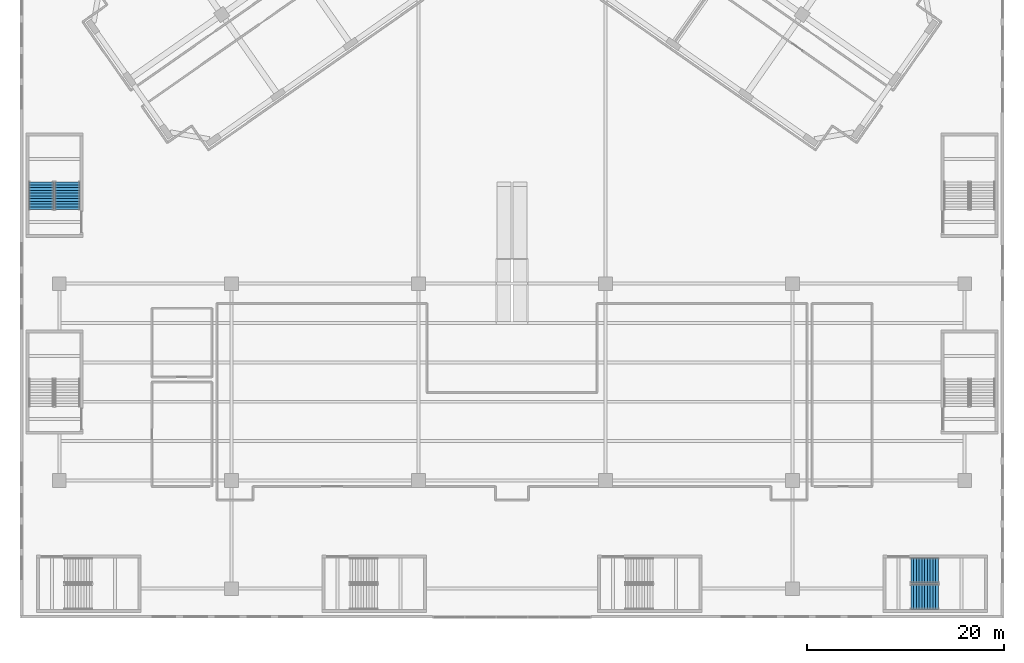
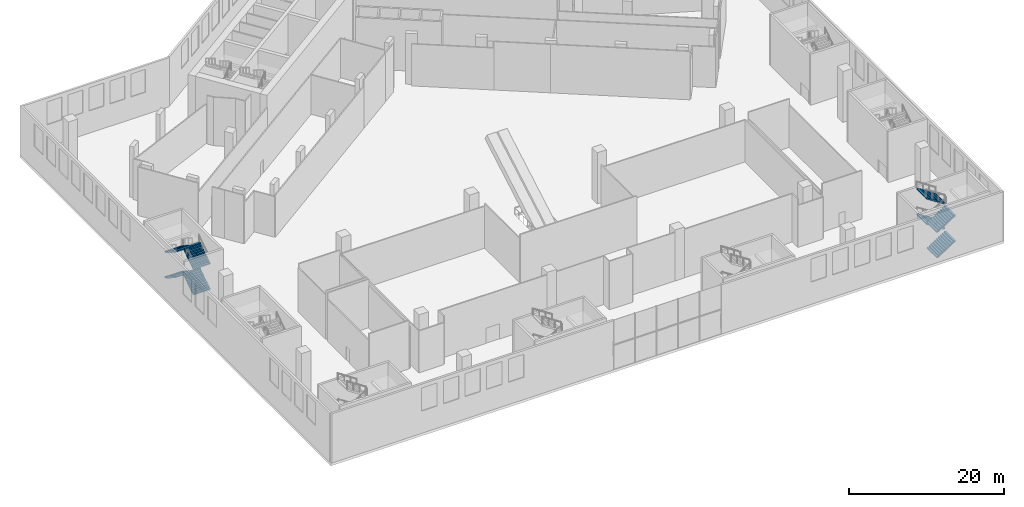
# One storey, part 15 of 27: 8 stair flights, 2 elements without a shape of their own.
"""IFC4 building model written with IfcOpenShell, lengths in metres."""

from ifc_helpers import new_model, si_unit, direction, frame, origin, place, context, subcontext, project, spatial, polyline, outline, extrude, material, type_object, element, aggregate, save


model = new_model("IFC4")

# Units and contexts
model_context = context("Model", 3, precision=1e-05, world=origin(), true_north=direction((0.0, 1.0)))
body_context = subcontext(model_context, "Body", "Model", "MODEL_VIEW")
ifc_project = project(units=[si_unit("LENGTHUNIT", "METRE"), si_unit("AREAUNIT", "SQUARE_METRE"), si_unit("VOLUMEUNIT", "CUBIC_METRE"), si_unit("PLANEANGLEUNIT", "RADIAN"), si_unit("MASSUNIT", "GRAM", prefix="KILO")], contexts=[model_context])

# Site, building, storey
site_placement = place(None, origin())
site = spatial("IfcSite", under=ifc_project, at=site_placement, CompositionType="ELEMENT")
building_placement = place(site_placement, origin())
building = spatial("IfcBuilding", under=site, at=building_placement, Name="Tel Ilan Convention Tower", CompositionType="ELEMENT")
storey_placement = place(building_placement, frame((0.0, 0.0, 18.0)))
storey = spatial("IfcBuildingStorey", under=building, at=storey_placement, Name="L02", CompositionType="ELEMENT", Elevation=18.0)

# Stair, stair flights
ifc_material_1 = material(Name="Concrete C40/50", Category="concrete")
stair_type = type_object("IfcStairType", Name="Pressurised Exit Stair 44 risers 182 mm", PredefinedType="HALF_TURN_STAIR", material=ifc_material_1)
stair_1_placement = place(storey_placement, origin())
stair_1 = element("IfcStair", 1, at=stair_1_placement, inside=storey, type_object=stair_type, Name="L02 Podium Exit Stair P4", PredefinedType="HALF_TURN_STAIR")
ifc_material_2 = material(Name="Precast Concrete C40/50", Category="concrete")
stair_flight_type = type_object("IfcStairFlightType", Name="Concrete Stair Flight 2525 mm 44 risers 182 mm", PredefinedType="STRAIGHT", material=ifc_material_2)
stair_flight_1_placement = place(storey_placement, frame((40.52490234375, -79.83740234375, 0.0), z_axis=(0.0, 0.0, 1.0), x_axis=(1.0, 0.0, 0.0)))
stair_flight_1 = element("IfcStairFlight", 2, at=stair_flight_1_placement, type_object=stair_flight_type, Name="P4 flight 1", NumberOfRisers=11, NumberOfTreads=10, PredefinedType="STRAIGHT", RiserHeight=0.181818182, TreadLength=0.28, context=body_context, shape_type="SweptSolid", body=[
    extrude(outline(polyline([(0.0, 0.0), (0.0, 0.181884765625), (0.280029296875, 0.181884765625), (0.280029296875, 0.363525390625), (0.56005859375, 0.363525390625), (0.56005859375, 0.54541015625), (0.840087890625, 0.54541015625), (0.840087890625, 0.727294921875), (1.1201171875, 0.727294921875), (1.1201171875, 0.9091796875), (1.39990234375, 0.9091796875), (1.39990234375, 1.0908203125), (1.679931640625, 1.0908203125), (1.679931640625, 1.272705078125), (1.9599609375, 1.272705078125), (1.9599609375, 1.45458984375), (2.239990234375, 1.45458984375), (2.239990234375, 1.636474609375), (2.52001953125, 1.636474609375), (2.52001953125, 1.818115234375), (2.800048828125, 1.818115234375), (2.800048828125, 2.0), (2.800048828125, 1.639404296875), (0.275146484375, 0.0), (0.0, 0.0)])), frame((0.0, -0.100341796875, 0.0), z_axis=(0.0, -1.0, 0.0), x_axis=(1.0, 0.0, 0.0)), (0.0, 0.0, 1.0), 1.162109375),
    extrude(outline(polyline([(0.0, 0.0), (0.0, 0.181884765625), (0.280029296875, 0.181884765625), (0.280029296875, 0.363525390625), (0.56005859375, 0.363525390625), (0.56005859375, 0.54541015625), (0.840087890625, 0.54541015625), (0.840087890625, 0.727294921875), (1.1201171875, 0.727294921875), (1.1201171875, 0.9091796875), (1.39990234375, 0.9091796875), (1.39990234375, 1.0908203125), (1.679931640625, 1.0908203125), (1.679931640625, 1.272705078125), (1.9599609375, 1.272705078125), (1.9599609375, 1.45458984375), (2.239990234375, 1.45458984375), (2.239990234375, 1.636474609375), (2.52001953125, 1.636474609375), (2.52001953125, 1.818115234375), (2.800048828125, 1.818115234375), (2.800048828125, 2.0), (2.800048828125, 1.639404296875), (0.275146484375, 0.0), (0.0, 0.0)])), frame((0.0, -0.000244140625, 0.0), z_axis=(0.0, -1.0, 0.0), x_axis=(1.0, 0.0, 0.0)), (0.0, 0.0, 1.0), 0.099609375),
    extrude(outline(polyline([(0.0, 0.0), (0.0, 0.181884765625), (0.280029296875, 0.181884765625), (0.280029296875, 0.363525390625), (0.56005859375, 0.363525390625), (0.56005859375, 0.54541015625), (0.840087890625, 0.54541015625), (0.840087890625, 0.727294921875), (1.1201171875, 0.727294921875), (1.1201171875, 0.9091796875), (1.39990234375, 0.9091796875), (1.39990234375, 1.0908203125), (1.679931640625, 1.0908203125), (1.679931640625, 1.272705078125), (1.9599609375, 1.272705078125), (1.9599609375, 1.45458984375), (2.239990234375, 1.45458984375), (2.239990234375, 1.636474609375), (2.52001953125, 1.636474609375), (2.52001953125, 1.818115234375), (2.800048828125, 1.818115234375), (2.800048828125, 2.0), (2.800048828125, 1.639404296875), (0.275146484375, 0.0), (0.0, 0.0)])), frame((0.0, 0.099853515625, 0.0), z_axis=(0.0, -1.0, 0.0), x_axis=(1.0, 0.0, 0.0)), (0.0, 0.0, 1.0), 0.099609375),
    extrude(outline(polyline([(0.0, 0.0), (0.0, 0.181884765625), (0.280029296875, 0.181884765625), (0.280029296875, 0.363525390625), (0.56005859375, 0.363525390625), (0.56005859375, 0.54541015625), (0.840087890625, 0.54541015625), (0.840087890625, 0.727294921875), (1.1201171875, 0.727294921875), (1.1201171875, 0.9091796875), (1.39990234375, 0.9091796875), (1.39990234375, 1.0908203125), (1.679931640625, 1.0908203125), (1.679931640625, 1.272705078125), (1.9599609375, 1.272705078125), (1.9599609375, 1.45458984375), (2.239990234375, 1.45458984375), (2.239990234375, 1.636474609375), (2.52001953125, 1.636474609375), (2.52001953125, 1.818115234375), (2.800048828125, 1.818115234375), (2.800048828125, 2.0), (2.800048828125, 1.639404296875), (0.275146484375, 0.0), (0.0, 0.0)])), frame((0.0, 1.262451171875, 0.0), z_axis=(0.0, -1.0, 0.0), x_axis=(1.0, 0.0, 0.0)), (0.0, 0.0, 1.0), 1.162109375),
])
stair_flight_2_placement = place(storey_placement, frame((43.324951171875, -77.16259765625, 2.0), z_axis=(0.0, 0.0, 1.0), x_axis=(-1.0, 0.0, 0.0)))
stair_flight_2 = element("IfcStairFlight", 3, at=stair_flight_2_placement, type_object=stair_flight_type, Name="P4 flight 2", NumberOfRisers=11, NumberOfTreads=10, PredefinedType="STRAIGHT", RiserHeight=0.181818182, TreadLength=0.28, context=body_context, shape_type="SweptSolid", body=[
    extrude(outline(polyline([(0.0, 0.0), (0.0, 0.181884765625), (0.280029296875, 0.181884765625), (0.280029296875, 0.363525390625), (0.56005859375, 0.363525390625), (0.56005859375, 0.54541015625), (0.840087890625, 0.54541015625), (0.840087890625, 0.727294921875), (1.1201171875, 0.727294921875), (1.1201171875, 0.9091796875), (1.39990234375, 0.9091796875), (1.39990234375, 1.0908203125), (1.679931640625, 1.0908203125), (1.679931640625, 1.272705078125), (1.9599609375, 1.272705078125), (1.9599609375, 1.45458984375), (2.239990234375, 1.45458984375), (2.239990234375, 1.636474609375), (2.52001953125, 1.636474609375), (2.52001953125, 1.818115234375), (2.800048828125, 1.818115234375), (2.800048828125, 2.0), (2.800048828125, 1.639404296875), (0.275146484375, 0.0), (0.0, 0.0)])), frame((0.0, -0.100341796875, 0.0), z_axis=(0.0, -1.0, 0.0), x_axis=(1.0, 0.0, 0.0)), (0.0, 0.0, 1.0), 1.162109375),
    extrude(outline(polyline([(0.0, 0.0), (0.0, 0.181884765625), (0.280029296875, 0.181884765625), (0.280029296875, 0.363525390625), (0.56005859375, 0.363525390625), (0.56005859375, 0.54541015625), (0.840087890625, 0.54541015625), (0.840087890625, 0.727294921875), (1.1201171875, 0.727294921875), (1.1201171875, 0.9091796875), (1.39990234375, 0.9091796875), (1.39990234375, 1.0908203125), (1.679931640625, 1.0908203125), (1.679931640625, 1.272705078125), (1.9599609375, 1.272705078125), (1.9599609375, 1.45458984375), (2.239990234375, 1.45458984375), (2.239990234375, 1.636474609375), (2.52001953125, 1.636474609375), (2.52001953125, 1.818115234375), (2.800048828125, 1.818115234375), (2.800048828125, 2.0), (2.800048828125, 1.639404296875), (0.275146484375, 0.0), (0.0, 0.0)])), frame((0.0, -0.000244140625, 0.0), z_axis=(0.0, -1.0, 0.0), x_axis=(1.0, 0.0, 0.0)), (0.0, 0.0, 1.0), 0.099609375),
    extrude(outline(polyline([(0.0, 0.0), (0.0, 0.181884765625), (0.280029296875, 0.181884765625), (0.280029296875, 0.363525390625), (0.56005859375, 0.363525390625), (0.56005859375, 0.54541015625), (0.840087890625, 0.54541015625), (0.840087890625, 0.727294921875), (1.1201171875, 0.727294921875), (1.1201171875, 0.9091796875), (1.39990234375, 0.9091796875), (1.39990234375, 1.0908203125), (1.679931640625, 1.0908203125), (1.679931640625, 1.272705078125), (1.9599609375, 1.272705078125), (1.9599609375, 1.45458984375), (2.239990234375, 1.45458984375), (2.239990234375, 1.636474609375), (2.52001953125, 1.636474609375), (2.52001953125, 1.818115234375), (2.800048828125, 1.818115234375), (2.800048828125, 2.0), (2.800048828125, 1.639404296875), (0.275146484375, 0.0), (0.0, 0.0)])), frame((0.0, 0.099853515625, 0.0), z_axis=(0.0, -1.0, 0.0), x_axis=(1.0, 0.0, 0.0)), (0.0, 0.0, 1.0), 0.099609375),
    extrude(outline(polyline([(0.0, 0.0), (0.0, 0.181884765625), (0.280029296875, 0.181884765625), (0.280029296875, 0.363525390625), (0.56005859375, 0.363525390625), (0.56005859375, 0.54541015625), (0.840087890625, 0.54541015625), (0.840087890625, 0.727294921875), (1.1201171875, 0.727294921875), (1.1201171875, 0.9091796875), (1.39990234375, 0.9091796875), (1.39990234375, 1.0908203125), (1.679931640625, 1.0908203125), (1.679931640625, 1.272705078125), (1.9599609375, 1.272705078125), (1.9599609375, 1.45458984375), (2.239990234375, 1.45458984375), (2.239990234375, 1.636474609375), (2.52001953125, 1.636474609375), (2.52001953125, 1.818115234375), (2.800048828125, 1.818115234375), (2.800048828125, 2.0), (2.800048828125, 1.639404296875), (0.275146484375, 0.0), (0.0, 0.0)])), frame((0.0, 1.262451171875, 0.0), z_axis=(0.0, -1.0, 0.0), x_axis=(1.0, 0.0, 0.0)), (0.0, 0.0, 1.0), 1.162109375),
])
stair_flight_3_placement = place(storey_placement, frame((40.52490234375, -79.83740234375, 4.0), z_axis=(0.0, 0.0, 1.0), x_axis=(1.0, 0.0, 0.0)))
stair_flight_3 = element("IfcStairFlight", 4, at=stair_flight_3_placement, type_object=stair_flight_type, Name="P4 flight 3", NumberOfRisers=11, NumberOfTreads=10, PredefinedType="STRAIGHT", RiserHeight=0.181818182, TreadLength=0.28, context=body_context, shape_type="SweptSolid", body=[
    extrude(outline(polyline([(0.0, 0.0), (0.0, 0.181884765625), (0.280029296875, 0.181884765625), (0.280029296875, 0.363525390625), (0.56005859375, 0.363525390625), (0.56005859375, 0.54541015625), (0.840087890625, 0.54541015625), (0.840087890625, 0.727294921875), (1.1201171875, 0.727294921875), (1.1201171875, 0.9091796875), (1.39990234375, 0.9091796875), (1.39990234375, 1.0908203125), (1.679931640625, 1.0908203125), (1.679931640625, 1.272705078125), (1.9599609375, 1.272705078125), (1.9599609375, 1.45458984375), (2.239990234375, 1.45458984375), (2.239990234375, 1.636474609375), (2.52001953125, 1.636474609375), (2.52001953125, 1.818115234375), (2.800048828125, 1.818115234375), (2.800048828125, 2.0), (2.800048828125, 1.639404296875), (0.275146484375, 0.0), (0.0, 0.0)])), frame((0.0, -0.100341796875, 0.0), z_axis=(0.0, -1.0, 0.0), x_axis=(1.0, 0.0, 0.0)), (0.0, 0.0, 1.0), 1.162109375),
    extrude(outline(polyline([(0.0, 0.0), (0.0, 0.181884765625), (0.280029296875, 0.181884765625), (0.280029296875, 0.363525390625), (0.56005859375, 0.363525390625), (0.56005859375, 0.54541015625), (0.840087890625, 0.54541015625), (0.840087890625, 0.727294921875), (1.1201171875, 0.727294921875), (1.1201171875, 0.9091796875), (1.39990234375, 0.9091796875), (1.39990234375, 1.0908203125), (1.679931640625, 1.0908203125), (1.679931640625, 1.272705078125), (1.9599609375, 1.272705078125), (1.9599609375, 1.45458984375), (2.239990234375, 1.45458984375), (2.239990234375, 1.636474609375), (2.52001953125, 1.636474609375), (2.52001953125, 1.818115234375), (2.800048828125, 1.818115234375), (2.800048828125, 2.0), (2.800048828125, 1.639404296875), (0.275146484375, 0.0), (0.0, 0.0)])), frame((0.0, -0.000244140625, 0.0), z_axis=(0.0, -1.0, 0.0), x_axis=(1.0, 0.0, 0.0)), (0.0, 0.0, 1.0), 0.099609375),
    extrude(outline(polyline([(0.0, 0.0), (0.0, 0.181884765625), (0.280029296875, 0.181884765625), (0.280029296875, 0.363525390625), (0.56005859375, 0.363525390625), (0.56005859375, 0.54541015625), (0.840087890625, 0.54541015625), (0.840087890625, 0.727294921875), (1.1201171875, 0.727294921875), (1.1201171875, 0.9091796875), (1.39990234375, 0.9091796875), (1.39990234375, 1.0908203125), (1.679931640625, 1.0908203125), (1.679931640625, 1.272705078125), (1.9599609375, 1.272705078125), (1.9599609375, 1.45458984375), (2.239990234375, 1.45458984375), (2.239990234375, 1.636474609375), (2.52001953125, 1.636474609375), (2.52001953125, 1.818115234375), (2.800048828125, 1.818115234375), (2.800048828125, 2.0), (2.800048828125, 1.639404296875), (0.275146484375, 0.0), (0.0, 0.0)])), frame((0.0, 0.099853515625, 0.0), z_axis=(0.0, -1.0, 0.0), x_axis=(1.0, 0.0, 0.0)), (0.0, 0.0, 1.0), 0.099609375),
    extrude(outline(polyline([(0.0, 0.0), (0.0, 0.181884765625), (0.280029296875, 0.181884765625), (0.280029296875, 0.363525390625), (0.56005859375, 0.363525390625), (0.56005859375, 0.54541015625), (0.840087890625, 0.54541015625), (0.840087890625, 0.727294921875), (1.1201171875, 0.727294921875), (1.1201171875, 0.9091796875), (1.39990234375, 0.9091796875), (1.39990234375, 1.0908203125), (1.679931640625, 1.0908203125), (1.679931640625, 1.272705078125), (1.9599609375, 1.272705078125), (1.9599609375, 1.45458984375), (2.239990234375, 1.45458984375), (2.239990234375, 1.636474609375), (2.52001953125, 1.636474609375), (2.52001953125, 1.818115234375), (2.800048828125, 1.818115234375), (2.800048828125, 2.0), (2.800048828125, 1.639404296875), (0.275146484375, 0.0), (0.0, 0.0)])), frame((0.0, 1.262451171875, 0.0), z_axis=(0.0, -1.0, 0.0), x_axis=(1.0, 0.0, 0.0)), (0.0, 0.0, 1.0), 1.162109375),
])
stair_flight_4_placement = place(storey_placement, frame((43.324951171875, -77.16259765625, 6.0), z_axis=(0.0, 0.0, 1.0), x_axis=(-1.0, 0.0, 0.0)))
stair_flight_4 = element("IfcStairFlight", 5, at=stair_flight_4_placement, type_object=stair_flight_type, Name="P4 flight 4", NumberOfRisers=11, NumberOfTreads=10, PredefinedType="STRAIGHT", RiserHeight=0.181818182, TreadLength=0.28, context=body_context, shape_type="SweptSolid", body=[
    extrude(outline(polyline([(0.0, 0.0), (0.0, 0.181884765625), (0.280029296875, 0.181884765625), (0.280029296875, 0.363525390625), (0.56005859375, 0.363525390625), (0.56005859375, 0.54541015625), (0.840087890625, 0.54541015625), (0.840087890625, 0.727294921875), (1.1201171875, 0.727294921875), (1.1201171875, 0.9091796875), (1.39990234375, 0.9091796875), (1.39990234375, 1.0908203125), (1.679931640625, 1.0908203125), (1.679931640625, 1.272705078125), (1.9599609375, 1.272705078125), (1.9599609375, 1.45458984375), (2.239990234375, 1.45458984375), (2.239990234375, 1.636474609375), (2.52001953125, 1.636474609375), (2.52001953125, 1.818115234375), (2.800048828125, 1.818115234375), (2.800048828125, 2.0), (2.800048828125, 1.639404296875), (0.275146484375, 0.0), (0.0, 0.0)])), frame((0.0, -0.100341796875, 0.0), z_axis=(0.0, -1.0, 0.0), x_axis=(1.0, 0.0, 0.0)), (0.0, 0.0, 1.0), 1.162109375),
    extrude(outline(polyline([(0.0, 0.0), (0.0, 0.181884765625), (0.280029296875, 0.181884765625), (0.280029296875, 0.363525390625), (0.56005859375, 0.363525390625), (0.56005859375, 0.54541015625), (0.840087890625, 0.54541015625), (0.840087890625, 0.727294921875), (1.1201171875, 0.727294921875), (1.1201171875, 0.9091796875), (1.39990234375, 0.9091796875), (1.39990234375, 1.0908203125), (1.679931640625, 1.0908203125), (1.679931640625, 1.272705078125), (1.9599609375, 1.272705078125), (1.9599609375, 1.45458984375), (2.239990234375, 1.45458984375), (2.239990234375, 1.636474609375), (2.52001953125, 1.636474609375), (2.52001953125, 1.818115234375), (2.800048828125, 1.818115234375), (2.800048828125, 2.0), (2.800048828125, 1.639404296875), (0.275146484375, 0.0), (0.0, 0.0)])), frame((0.0, -0.000244140625, 0.0), z_axis=(0.0, -1.0, 0.0), x_axis=(1.0, 0.0, 0.0)), (0.0, 0.0, 1.0), 0.099609375),
    extrude(outline(polyline([(0.0, 0.0), (0.0, 0.181884765625), (0.280029296875, 0.181884765625), (0.280029296875, 0.363525390625), (0.56005859375, 0.363525390625), (0.56005859375, 0.54541015625), (0.840087890625, 0.54541015625), (0.840087890625, 0.727294921875), (1.1201171875, 0.727294921875), (1.1201171875, 0.9091796875), (1.39990234375, 0.9091796875), (1.39990234375, 1.0908203125), (1.679931640625, 1.0908203125), (1.679931640625, 1.272705078125), (1.9599609375, 1.272705078125), (1.9599609375, 1.45458984375), (2.239990234375, 1.45458984375), (2.239990234375, 1.636474609375), (2.52001953125, 1.636474609375), (2.52001953125, 1.818115234375), (2.800048828125, 1.818115234375), (2.800048828125, 2.0), (2.800048828125, 1.639404296875), (0.275146484375, 0.0), (0.0, 0.0)])), frame((0.0, 0.099853515625, 0.0), z_axis=(0.0, -1.0, 0.0), x_axis=(1.0, 0.0, 0.0)), (0.0, 0.0, 1.0), 0.099609375),
    extrude(outline(polyline([(0.0, 0.0), (0.0, 0.181884765625), (0.280029296875, 0.181884765625), (0.280029296875, 0.363525390625), (0.56005859375, 0.363525390625), (0.56005859375, 0.54541015625), (0.840087890625, 0.54541015625), (0.840087890625, 0.727294921875), (1.1201171875, 0.727294921875), (1.1201171875, 0.9091796875), (1.39990234375, 0.9091796875), (1.39990234375, 1.0908203125), (1.679931640625, 1.0908203125), (1.679931640625, 1.272705078125), (1.9599609375, 1.272705078125), (1.9599609375, 1.45458984375), (2.239990234375, 1.45458984375), (2.239990234375, 1.636474609375), (2.52001953125, 1.636474609375), (2.52001953125, 1.818115234375), (2.800048828125, 1.818115234375), (2.800048828125, 2.0), (2.800048828125, 1.639404296875), (0.275146484375, 0.0), (0.0, 0.0)])), frame((0.0, 1.262451171875, 0.0), z_axis=(0.0, -1.0, 0.0), x_axis=(1.0, 0.0, 0.0)), (0.0, 0.0, 1.0), 1.162109375),
])
aggregate(stair_1, [stair_flight_1, stair_flight_2, stair_flight_3, stair_flight_4])

stair_2_placement = place(storey_placement, origin())
stair_2 = element("IfcStair", 6, at=stair_2_placement, inside=storey, type_object=stair_type, Name="L02 Podium Exit Stair P7", PredefinedType="HALF_TURN_STAIR")
stair_flight_5_placement = place(storey_placement, frame((-45.16259765625, -40.47509765625, 0.0), z_axis=(0.0, 0.0, 1.0), x_axis=(0.0, 1.0, 0.0)))
stair_flight_5 = element("IfcStairFlight", 7, at=stair_flight_5_placement, type_object=stair_flight_type, Name="P7 flight 1", NumberOfRisers=11, NumberOfTreads=10, PredefinedType="STRAIGHT", RiserHeight=0.181818182, TreadLength=0.28, context=body_context, shape_type="SweptSolid", body=[
    extrude(outline(polyline([(0.0, 0.0), (0.0, 0.181884765625), (0.280029296875, 0.181884765625), (0.280029296875, 0.363525390625), (0.56005859375, 0.363525390625), (0.56005859375, 0.54541015625), (0.840087890625, 0.54541015625), (0.840087890625, 0.727294921875), (1.1201171875, 0.727294921875), (1.1201171875, 0.9091796875), (1.39990234375, 0.9091796875), (1.39990234375, 1.0908203125), (1.679931640625, 1.0908203125), (1.679931640625, 1.272705078125), (1.9599609375, 1.272705078125), (1.9599609375, 1.45458984375), (2.239990234375, 1.45458984375), (2.239990234375, 1.636474609375), (2.52001953125, 1.636474609375), (2.52001953125, 1.818115234375), (2.800048828125, 1.818115234375), (2.800048828125, 2.0), (2.800048828125, 1.639404296875), (0.275146484375, 0.0), (0.0, 0.0)])), frame((0.0, -0.100341796875, 0.0), z_axis=(0.0, -1.0, 0.0), x_axis=(1.0, 0.0, 0.0)), (0.0, 0.0, 1.0), 1.162109375),
    extrude(outline(polyline([(0.0, 0.0), (0.0, 0.181884765625), (0.280029296875, 0.181884765625), (0.280029296875, 0.363525390625), (0.56005859375, 0.363525390625), (0.56005859375, 0.54541015625), (0.840087890625, 0.54541015625), (0.840087890625, 0.727294921875), (1.1201171875, 0.727294921875), (1.1201171875, 0.9091796875), (1.39990234375, 0.9091796875), (1.39990234375, 1.0908203125), (1.679931640625, 1.0908203125), (1.679931640625, 1.272705078125), (1.9599609375, 1.272705078125), (1.9599609375, 1.45458984375), (2.239990234375, 1.45458984375), (2.239990234375, 1.636474609375), (2.52001953125, 1.636474609375), (2.52001953125, 1.818115234375), (2.800048828125, 1.818115234375), (2.800048828125, 2.0), (2.800048828125, 1.639404296875), (0.275146484375, 0.0), (0.0, 0.0)])), frame((0.0, -0.000244140625, 0.0), z_axis=(0.0, -1.0, 0.0), x_axis=(1.0, 0.0, 0.0)), (0.0, 0.0, 1.0), 0.099609375),
    extrude(outline(polyline([(0.0, 0.0), (0.0, 0.181884765625), (0.280029296875, 0.181884765625), (0.280029296875, 0.363525390625), (0.56005859375, 0.363525390625), (0.56005859375, 0.54541015625), (0.840087890625, 0.54541015625), (0.840087890625, 0.727294921875), (1.1201171875, 0.727294921875), (1.1201171875, 0.9091796875), (1.39990234375, 0.9091796875), (1.39990234375, 1.0908203125), (1.679931640625, 1.0908203125), (1.679931640625, 1.272705078125), (1.9599609375, 1.272705078125), (1.9599609375, 1.45458984375), (2.239990234375, 1.45458984375), (2.239990234375, 1.636474609375), (2.52001953125, 1.636474609375), (2.52001953125, 1.818115234375), (2.800048828125, 1.818115234375), (2.800048828125, 2.0), (2.800048828125, 1.639404296875), (0.275146484375, 0.0), (0.0, 0.0)])), frame((0.0, 0.099853515625, 0.0), z_axis=(0.0, -1.0, 0.0), x_axis=(1.0, 0.0, 0.0)), (0.0, 0.0, 1.0), 0.099609375),
    extrude(outline(polyline([(0.0, 0.0), (0.0, 0.181884765625), (0.280029296875, 0.181884765625), (0.280029296875, 0.363525390625), (0.56005859375, 0.363525390625), (0.56005859375, 0.54541015625), (0.840087890625, 0.54541015625), (0.840087890625, 0.727294921875), (1.1201171875, 0.727294921875), (1.1201171875, 0.9091796875), (1.39990234375, 0.9091796875), (1.39990234375, 1.0908203125), (1.679931640625, 1.0908203125), (1.679931640625, 1.272705078125), (1.9599609375, 1.272705078125), (1.9599609375, 1.45458984375), (2.239990234375, 1.45458984375), (2.239990234375, 1.636474609375), (2.52001953125, 1.636474609375), (2.52001953125, 1.818115234375), (2.800048828125, 1.818115234375), (2.800048828125, 2.0), (2.800048828125, 1.639404296875), (0.275146484375, 0.0), (0.0, 0.0)])), frame((0.0, 1.262451171875, 0.0), z_axis=(0.0, -1.0, 0.0), x_axis=(1.0, 0.0, 0.0)), (0.0, 0.0, 1.0), 1.162109375),
])
stair_flight_6_placement = place(storey_placement, frame((-47.83740234375, -37.675048828125, 2.0), z_axis=(0.0, 0.0, 1.0), x_axis=(0.0, -1.0, 0.0)))
stair_flight_6 = element("IfcStairFlight", 8, at=stair_flight_6_placement, type_object=stair_flight_type, Name="P7 flight 2", NumberOfRisers=11, NumberOfTreads=10, PredefinedType="STRAIGHT", RiserHeight=0.181818182, TreadLength=0.28, context=body_context, shape_type="SweptSolid", body=[
    extrude(outline(polyline([(0.0, 0.0), (0.0, 0.181884765625), (0.280029296875, 0.181884765625), (0.280029296875, 0.363525390625), (0.56005859375, 0.363525390625), (0.56005859375, 0.54541015625), (0.840087890625, 0.54541015625), (0.840087890625, 0.727294921875), (1.1201171875, 0.727294921875), (1.1201171875, 0.9091796875), (1.39990234375, 0.9091796875), (1.39990234375, 1.0908203125), (1.679931640625, 1.0908203125), (1.679931640625, 1.272705078125), (1.9599609375, 1.272705078125), (1.9599609375, 1.45458984375), (2.239990234375, 1.45458984375), (2.239990234375, 1.636474609375), (2.52001953125, 1.636474609375), (2.52001953125, 1.818115234375), (2.800048828125, 1.818115234375), (2.800048828125, 2.0), (2.800048828125, 1.639404296875), (0.275146484375, 0.0), (0.0, 0.0)])), frame((0.0, -0.100341796875, 0.0), z_axis=(0.0, -1.0, 0.0), x_axis=(1.0, 0.0, 0.0)), (0.0, 0.0, 1.0), 1.162109375),
    extrude(outline(polyline([(0.0, 0.0), (0.0, 0.181884765625), (0.280029296875, 0.181884765625), (0.280029296875, 0.363525390625), (0.56005859375, 0.363525390625), (0.56005859375, 0.54541015625), (0.840087890625, 0.54541015625), (0.840087890625, 0.727294921875), (1.1201171875, 0.727294921875), (1.1201171875, 0.9091796875), (1.39990234375, 0.9091796875), (1.39990234375, 1.0908203125), (1.679931640625, 1.0908203125), (1.679931640625, 1.272705078125), (1.9599609375, 1.272705078125), (1.9599609375, 1.45458984375), (2.239990234375, 1.45458984375), (2.239990234375, 1.636474609375), (2.52001953125, 1.636474609375), (2.52001953125, 1.818115234375), (2.800048828125, 1.818115234375), (2.800048828125, 2.0), (2.800048828125, 1.639404296875), (0.275146484375, 0.0), (0.0, 0.0)])), frame((0.0, -0.000244140625, 0.0), z_axis=(0.0, -1.0, 0.0), x_axis=(1.0, 0.0, 0.0)), (0.0, 0.0, 1.0), 0.099609375),
    extrude(outline(polyline([(0.0, 0.0), (0.0, 0.181884765625), (0.280029296875, 0.181884765625), (0.280029296875, 0.363525390625), (0.56005859375, 0.363525390625), (0.56005859375, 0.54541015625), (0.840087890625, 0.54541015625), (0.840087890625, 0.727294921875), (1.1201171875, 0.727294921875), (1.1201171875, 0.9091796875), (1.39990234375, 0.9091796875), (1.39990234375, 1.0908203125), (1.679931640625, 1.0908203125), (1.679931640625, 1.272705078125), (1.9599609375, 1.272705078125), (1.9599609375, 1.45458984375), (2.239990234375, 1.45458984375), (2.239990234375, 1.636474609375), (2.52001953125, 1.636474609375), (2.52001953125, 1.818115234375), (2.800048828125, 1.818115234375), (2.800048828125, 2.0), (2.800048828125, 1.639404296875), (0.275146484375, 0.0), (0.0, 0.0)])), frame((0.0, 0.099853515625, 0.0), z_axis=(0.0, -1.0, 0.0), x_axis=(1.0, 0.0, 0.0)), (0.0, 0.0, 1.0), 0.099609375),
    extrude(outline(polyline([(0.0, 0.0), (0.0, 0.181884765625), (0.280029296875, 0.181884765625), (0.280029296875, 0.363525390625), (0.56005859375, 0.363525390625), (0.56005859375, 0.54541015625), (0.840087890625, 0.54541015625), (0.840087890625, 0.727294921875), (1.1201171875, 0.727294921875), (1.1201171875, 0.9091796875), (1.39990234375, 0.9091796875), (1.39990234375, 1.0908203125), (1.679931640625, 1.0908203125), (1.679931640625, 1.272705078125), (1.9599609375, 1.272705078125), (1.9599609375, 1.45458984375), (2.239990234375, 1.45458984375), (2.239990234375, 1.636474609375), (2.52001953125, 1.636474609375), (2.52001953125, 1.818115234375), (2.800048828125, 1.818115234375), (2.800048828125, 2.0), (2.800048828125, 1.639404296875), (0.275146484375, 0.0), (0.0, 0.0)])), frame((0.0, 1.262451171875, 0.0), z_axis=(0.0, -1.0, 0.0), x_axis=(1.0, 0.0, 0.0)), (0.0, 0.0, 1.0), 1.162109375),
])
stair_flight_7_placement = place(storey_placement, frame((-45.16259765625, -40.47509765625, 4.0), z_axis=(0.0, 0.0, 1.0), x_axis=(0.0, 1.0, 0.0)))
stair_flight_7 = element("IfcStairFlight", 9, at=stair_flight_7_placement, type_object=stair_flight_type, Name="P7 flight 3", NumberOfRisers=11, NumberOfTreads=10, PredefinedType="STRAIGHT", RiserHeight=0.181818182, TreadLength=0.28, context=body_context, shape_type="SweptSolid", body=[
    extrude(outline(polyline([(0.0, 0.0), (0.0, 0.181884765625), (0.280029296875, 0.181884765625), (0.280029296875, 0.363525390625), (0.56005859375, 0.363525390625), (0.56005859375, 0.54541015625), (0.840087890625, 0.54541015625), (0.840087890625, 0.727294921875), (1.1201171875, 0.727294921875), (1.1201171875, 0.9091796875), (1.39990234375, 0.9091796875), (1.39990234375, 1.0908203125), (1.679931640625, 1.0908203125), (1.679931640625, 1.272705078125), (1.9599609375, 1.272705078125), (1.9599609375, 1.45458984375), (2.239990234375, 1.45458984375), (2.239990234375, 1.636474609375), (2.52001953125, 1.636474609375), (2.52001953125, 1.818115234375), (2.800048828125, 1.818115234375), (2.800048828125, 2.0), (2.800048828125, 1.639404296875), (0.275146484375, 0.0), (0.0, 0.0)])), frame((0.0, -0.100341796875, 0.0), z_axis=(0.0, -1.0, 0.0), x_axis=(1.0, 0.0, 0.0)), (0.0, 0.0, 1.0), 1.162109375),
    extrude(outline(polyline([(0.0, 0.0), (0.0, 0.181884765625), (0.280029296875, 0.181884765625), (0.280029296875, 0.363525390625), (0.56005859375, 0.363525390625), (0.56005859375, 0.54541015625), (0.840087890625, 0.54541015625), (0.840087890625, 0.727294921875), (1.1201171875, 0.727294921875), (1.1201171875, 0.9091796875), (1.39990234375, 0.9091796875), (1.39990234375, 1.0908203125), (1.679931640625, 1.0908203125), (1.679931640625, 1.272705078125), (1.9599609375, 1.272705078125), (1.9599609375, 1.45458984375), (2.239990234375, 1.45458984375), (2.239990234375, 1.636474609375), (2.52001953125, 1.636474609375), (2.52001953125, 1.818115234375), (2.800048828125, 1.818115234375), (2.800048828125, 2.0), (2.800048828125, 1.639404296875), (0.275146484375, 0.0), (0.0, 0.0)])), frame((0.0, -0.000244140625, 0.0), z_axis=(0.0, -1.0, 0.0), x_axis=(1.0, 0.0, 0.0)), (0.0, 0.0, 1.0), 0.099609375),
    extrude(outline(polyline([(0.0, 0.0), (0.0, 0.181884765625), (0.280029296875, 0.181884765625), (0.280029296875, 0.363525390625), (0.56005859375, 0.363525390625), (0.56005859375, 0.54541015625), (0.840087890625, 0.54541015625), (0.840087890625, 0.727294921875), (1.1201171875, 0.727294921875), (1.1201171875, 0.9091796875), (1.39990234375, 0.9091796875), (1.39990234375, 1.0908203125), (1.679931640625, 1.0908203125), (1.679931640625, 1.272705078125), (1.9599609375, 1.272705078125), (1.9599609375, 1.45458984375), (2.239990234375, 1.45458984375), (2.239990234375, 1.636474609375), (2.52001953125, 1.636474609375), (2.52001953125, 1.818115234375), (2.800048828125, 1.818115234375), (2.800048828125, 2.0), (2.800048828125, 1.639404296875), (0.275146484375, 0.0), (0.0, 0.0)])), frame((0.0, 0.099853515625, 0.0), z_axis=(0.0, -1.0, 0.0), x_axis=(1.0, 0.0, 0.0)), (0.0, 0.0, 1.0), 0.099609375),
    extrude(outline(polyline([(0.0, 0.0), (0.0, 0.181884765625), (0.280029296875, 0.181884765625), (0.280029296875, 0.363525390625), (0.56005859375, 0.363525390625), (0.56005859375, 0.54541015625), (0.840087890625, 0.54541015625), (0.840087890625, 0.727294921875), (1.1201171875, 0.727294921875), (1.1201171875, 0.9091796875), (1.39990234375, 0.9091796875), (1.39990234375, 1.0908203125), (1.679931640625, 1.0908203125), (1.679931640625, 1.272705078125), (1.9599609375, 1.272705078125), (1.9599609375, 1.45458984375), (2.239990234375, 1.45458984375), (2.239990234375, 1.636474609375), (2.52001953125, 1.636474609375), (2.52001953125, 1.818115234375), (2.800048828125, 1.818115234375), (2.800048828125, 2.0), (2.800048828125, 1.639404296875), (0.275146484375, 0.0), (0.0, 0.0)])), frame((0.0, 1.262451171875, 0.0), z_axis=(0.0, -1.0, 0.0), x_axis=(1.0, 0.0, 0.0)), (0.0, 0.0, 1.0), 1.162109375),
])
stair_flight_8_placement = place(storey_placement, frame((-47.83740234375, -37.675048828125, 6.0), z_axis=(0.0, 0.0, 1.0), x_axis=(0.0, -1.0, 0.0)))
stair_flight_8 = element("IfcStairFlight", 10, at=stair_flight_8_placement, type_object=stair_flight_type, Name="P7 flight 4", NumberOfRisers=11, NumberOfTreads=10, PredefinedType="STRAIGHT", RiserHeight=0.181818182, TreadLength=0.28, context=body_context, shape_type="SweptSolid", body=[
    extrude(outline(polyline([(0.0, 0.0), (0.0, 0.181884765625), (0.280029296875, 0.181884765625), (0.280029296875, 0.363525390625), (0.56005859375, 0.363525390625), (0.56005859375, 0.54541015625), (0.840087890625, 0.54541015625), (0.840087890625, 0.727294921875), (1.1201171875, 0.727294921875), (1.1201171875, 0.9091796875), (1.39990234375, 0.9091796875), (1.39990234375, 1.0908203125), (1.679931640625, 1.0908203125), (1.679931640625, 1.272705078125), (1.9599609375, 1.272705078125), (1.9599609375, 1.45458984375), (2.239990234375, 1.45458984375), (2.239990234375, 1.636474609375), (2.52001953125, 1.636474609375), (2.52001953125, 1.818115234375), (2.800048828125, 1.818115234375), (2.800048828125, 2.0), (2.800048828125, 1.639404296875), (0.275146484375, 0.0), (0.0, 0.0)])), frame((0.0, -0.100341796875, 0.0), z_axis=(0.0, -1.0, 0.0), x_axis=(1.0, 0.0, 0.0)), (0.0, 0.0, 1.0), 1.162109375),
    extrude(outline(polyline([(0.0, 0.0), (0.0, 0.181884765625), (0.280029296875, 0.181884765625), (0.280029296875, 0.363525390625), (0.56005859375, 0.363525390625), (0.56005859375, 0.54541015625), (0.840087890625, 0.54541015625), (0.840087890625, 0.727294921875), (1.1201171875, 0.727294921875), (1.1201171875, 0.9091796875), (1.39990234375, 0.9091796875), (1.39990234375, 1.0908203125), (1.679931640625, 1.0908203125), (1.679931640625, 1.272705078125), (1.9599609375, 1.272705078125), (1.9599609375, 1.45458984375), (2.239990234375, 1.45458984375), (2.239990234375, 1.636474609375), (2.52001953125, 1.636474609375), (2.52001953125, 1.818115234375), (2.800048828125, 1.818115234375), (2.800048828125, 2.0), (2.800048828125, 1.639404296875), (0.275146484375, 0.0), (0.0, 0.0)])), frame((0.0, -0.000244140625, 0.0), z_axis=(0.0, -1.0, 0.0), x_axis=(1.0, 0.0, 0.0)), (0.0, 0.0, 1.0), 0.099609375),
    extrude(outline(polyline([(0.0, 0.0), (0.0, 0.181884765625), (0.280029296875, 0.181884765625), (0.280029296875, 0.363525390625), (0.56005859375, 0.363525390625), (0.56005859375, 0.54541015625), (0.840087890625, 0.54541015625), (0.840087890625, 0.727294921875), (1.1201171875, 0.727294921875), (1.1201171875, 0.9091796875), (1.39990234375, 0.9091796875), (1.39990234375, 1.0908203125), (1.679931640625, 1.0908203125), (1.679931640625, 1.272705078125), (1.9599609375, 1.272705078125), (1.9599609375, 1.45458984375), (2.239990234375, 1.45458984375), (2.239990234375, 1.636474609375), (2.52001953125, 1.636474609375), (2.52001953125, 1.818115234375), (2.800048828125, 1.818115234375), (2.800048828125, 2.0), (2.800048828125, 1.639404296875), (0.275146484375, 0.0), (0.0, 0.0)])), frame((0.0, 0.099853515625, 0.0), z_axis=(0.0, -1.0, 0.0), x_axis=(1.0, 0.0, 0.0)), (0.0, 0.0, 1.0), 0.099609375),
    extrude(outline(polyline([(0.0, 0.0), (0.0, 0.181884765625), (0.280029296875, 0.181884765625), (0.280029296875, 0.363525390625), (0.56005859375, 0.363525390625), (0.56005859375, 0.54541015625), (0.840087890625, 0.54541015625), (0.840087890625, 0.727294921875), (1.1201171875, 0.727294921875), (1.1201171875, 0.9091796875), (1.39990234375, 0.9091796875), (1.39990234375, 1.0908203125), (1.679931640625, 1.0908203125), (1.679931640625, 1.272705078125), (1.9599609375, 1.272705078125), (1.9599609375, 1.45458984375), (2.239990234375, 1.45458984375), (2.239990234375, 1.636474609375), (2.52001953125, 1.636474609375), (2.52001953125, 1.818115234375), (2.800048828125, 1.818115234375), (2.800048828125, 2.0), (2.800048828125, 1.639404296875), (0.275146484375, 0.0), (0.0, 0.0)])), frame((0.0, 1.262451171875, 0.0), z_axis=(0.0, -1.0, 0.0), x_axis=(1.0, 0.0, 0.0)), (0.0, 0.0, 1.0), 1.162109375),
])
aggregate(stair_2, [stair_flight_5, stair_flight_6, stair_flight_7, stair_flight_8])

save(model, "model.ifc")
